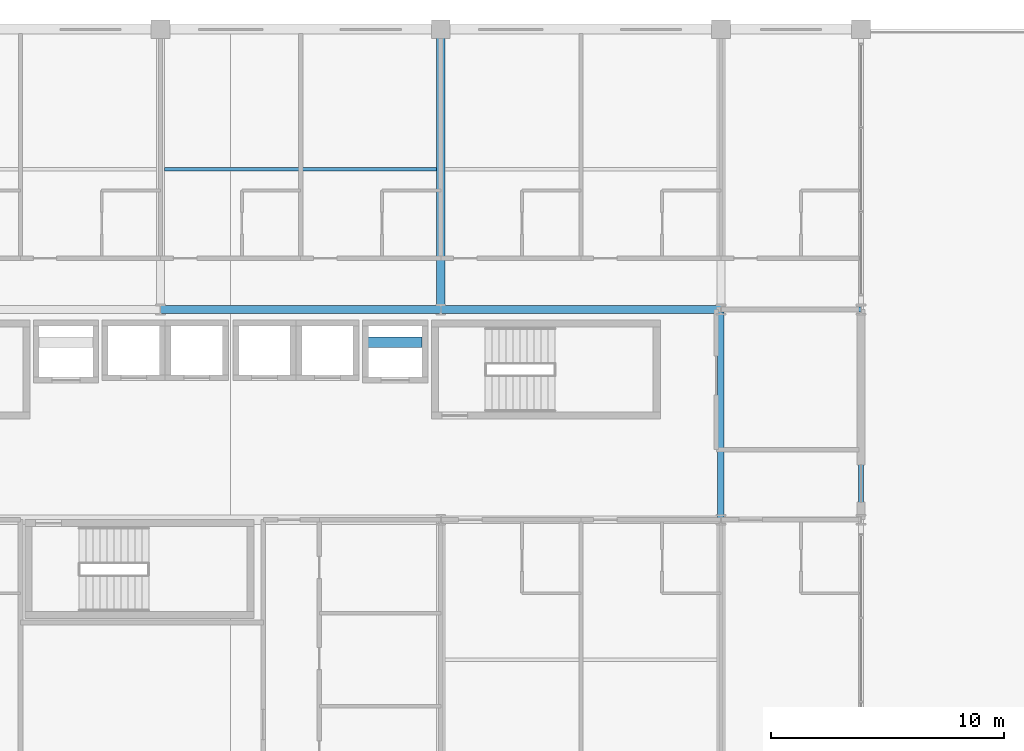
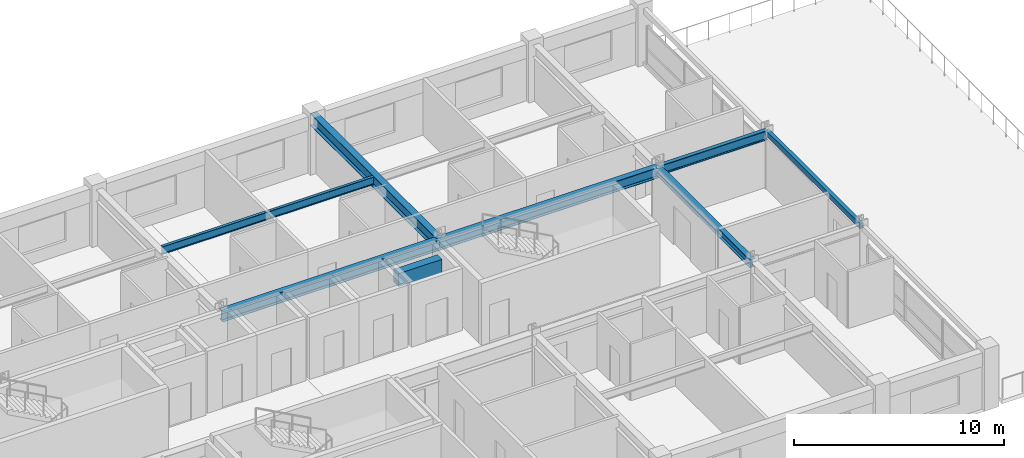
# One storey, part 13 of 27: 8 beams.
"""IFC4 building model written with IfcOpenShell, lengths in metres."""

from ifc_helpers import new_model, si_unit, direction, frame, origin, origin_2d, place, context, subcontext, project, spatial, rectangle, hollow_rectangle, i_section, extrude, material, material_profile, profile_set, type_object, element, save


model = new_model("IFC4")

# Units and contexts
model_context = context("Model", 3, precision=1e-05, world=origin(), true_north=direction((0.0, 1.0)))
body_context = subcontext(model_context, "Body", "Model", "MODEL_VIEW")
ifc_project = project(units=[si_unit("LENGTHUNIT", "METRE"), si_unit("AREAUNIT", "SQUARE_METRE"), si_unit("VOLUMEUNIT", "CUBIC_METRE"), si_unit("PLANEANGLEUNIT", "RADIAN"), si_unit("MASSUNIT", "GRAM", prefix="KILO")], contexts=[model_context])

# Site, building, storey
site_placement = place(None, origin())
site = spatial("IfcSite", under=ifc_project, at=site_placement, CompositionType="ELEMENT")
building_placement = place(site_placement, origin())
building = spatial("IfcBuilding", under=site, at=building_placement, Name="Kaldorvane Square Convention Centre", CompositionType="ELEMENT")
storey_placement = place(building_placement, frame((0.0, 0.0, 38.399993896484375)))
storey = spatial("IfcBuildingStorey", under=building, at=storey_placement, Name="L08", CompositionType="ELEMENT", Elevation=38.399993896484375)

# Beams
ifc_material_1 = material(Name="Steel ASTM A992 Gr. 50", Category="steel")
ifc_material_profile_1 = material_profile(ifc_material_1, i_section(OverallWidth=0.213897705078125, OverallDepth=0.549102783203125, WebThickness=0.0146942138671875, FlangeThickness=0.0236053466796875, FilletRadius=0.0126953125, at=origin_2d()), Name="W21X93")
ifc_profile_set_1 = profile_set([ifc_material_profile_1], Name="Steel ASTM A992 Gr. 50")
beam_type_1 = type_object("IfcBeamType", Name="BM-GR-W21X93", PredefinedType="BEAM", material=ifc_profile_set_1)
beam_1_placement = place(storey_placement, frame((78.0, 105.0, 3.011505126953125), z_axis=(1.0, 0.0, 0.0), x_axis=(0.0, 1.0, 0.0)))
element("IfcBeam", 1, at=beam_1_placement, inside=storey, type_object=beam_type_1, Name="Primary Girder (L08)", PredefinedType="BEAM", context=body_context, shape_type="SweptSolid", body=[
    extrude(i_section(OverallWidth=0.213897705078125, OverallDepth=0.549102783203125, WebThickness=0.0146942138671875, FlangeThickness=0.0236053466796875, FilletRadius=0.0126953125, at=origin_2d()), origin(), (0.0, 0.0, 1.0), 6.0),
])
ifc_material_profile_2 = material_profile(ifc_material_1, i_section(OverallWidth=0.326507568359375, OverallDepth=0.621795654296875, WebThickness=0.0153961181640625, FlangeThickness=0.0243988037109375, FilletRadius=0.0126953125, at=origin_2d()), Name="W24X131")
ifc_profile_set_2 = profile_set([ifc_material_profile_2], Name="Steel ASTM A992 Gr. 50")
beam_type_2 = type_object("IfcBeamType", Name="BM-GR-W24X131", PredefinedType="BEAM", material=ifc_profile_set_2)
for number, where, z_axis, x_axis, name in (
    (2, (54.0, 105.0, 2.9751129150390625), (1.0, 0.0, 0.0), (0.0, 1.0, 0.0), "Primary Girder (L08)"),
    (3, (66.0, 105.0, 2.9751129150390625), (1.0, 0.0, 0.0), (0.0, 1.0, 0.0), "Primary Girder (L08)"),
):
    element("IfcBeam", number, at=place(storey_placement, frame(where, z_axis=z_axis, x_axis=x_axis)), inside=storey, type_object=beam_type_2, Name=name, PredefinedType="BEAM", context=body_context, shape_type="SweptSolid", body=[
        extrude(i_section(OverallWidth=0.326507568359375, OverallDepth=0.621795654296875, WebThickness=0.0153961181640625, FlangeThickness=0.0243988037109375, FilletRadius=0.0126953125, at=origin_2d()), origin(), (0.0, 0.0, 1.0), 12.0),
    ])
ifc_material_profile_3 = material_profile(ifc_material_1, i_section(OverallWidth=0.354705810546875, OverallDepth=0.69549560546875, WebThickness=0.0153961181640625, FlangeThickness=0.0251007080078125, FilletRadius=0.01519775390625, at=origin_2d()), Name="W27X146")
ifc_profile_set_3 = profile_set([ifc_material_profile_3], Name="Steel ASTM A992 Gr. 50")
beam_type_3 = type_object("IfcBeamType", Name="BM-GR-W27X146", PredefinedType="BEAM", material=ifc_profile_set_3)
beam_2_placement = place(storey_placement, frame((66.0, 105.0, 2.9383087158203125), z_axis=(0.0, 1.0, 0.0), x_axis=(-1.0, 0.0, 0.0)))
element("IfcBeam", 4, at=beam_2_placement, inside=storey, type_object=beam_type_3, Name="Transverse Girder (L08)", PredefinedType="BEAM", context=body_context, shape_type="SweptSolid", body=[
    extrude(i_section(OverallWidth=0.354705810546875, OverallDepth=0.69549560546875, WebThickness=0.0153961181640625, FlangeThickness=0.0251007080078125, FilletRadius=0.01519775390625, at=origin_2d()), origin(), (0.0, 0.0, 1.0), 12.0),
])
ifc_material_profile_4 = material_profile(ifc_material_1, i_section(OverallWidth=0.152801513671875, OverallDepth=0.4546966552734375, WebThickness=0.00799560546875, FlangeThickness=0.0133056640625, FilletRadius=0.01019287109375, at=origin_2d()), Name="W18X40")
ifc_profile_set_4 = profile_set([ifc_material_profile_4], Name="Steel ASTM A992 Gr. 50")
beam_type_4 = type_object("IfcBeamType", Name="BM-JS-W18X40", PredefinedType="JOIST", material=ifc_profile_set_4)
beam_3_placement = place(storey_placement, frame((54.17730712890625, 111.0, 3.0586090087890625), z_axis=(1.0, 0.0, 0.0), x_axis=(0.0, 1.0, 0.0)))
element("IfcBeam", 5, at=beam_3_placement, inside=storey, type_object=beam_type_4, Name="Secondary Floor Joist (L08)", PredefinedType="JOIST", context=body_context, shape_type="SweptSolid", body=[
    extrude(i_section(OverallWidth=0.152801513671875, OverallDepth=0.4546966552734375, WebThickness=0.00799560546875, FlangeThickness=0.0133056640625, FilletRadius=0.01019287109375, at=origin_2d()), origin(), (0.0, 0.0, 1.0), 11.645294189453125),
])
ifc_material_profile_5 = material_profile(ifc_material_1, i_section(OverallWidth=0.2799072265625, OverallDepth=0.462799072265625, WebThickness=0.01080322265625, FlangeThickness=0.017303466796875, FilletRadius=0.01019287109375, at=origin_2d()), Name="W18X76")
ifc_profile_set_5 = profile_set([ifc_material_profile_5], Name="Steel ASTM A992 Gr. 50")
beam_type_5 = type_object("IfcBeamType", Name="BM-JS-W18X76", PredefinedType="JOIST", material=ifc_profile_set_5)
beam_4_placement = place(storey_placement, frame((78.0, 96.0, 3.0546112060546875), z_axis=(0.0, 1.0, 0.0), x_axis=(-1.0, 0.0, 0.0)))
element("IfcBeam", 6, at=beam_4_placement, inside=storey, type_object=beam_type_5, Name="Transverse Girder (L08)", PredefinedType="JOIST", context=body_context, shape_type="SweptSolid", body=[
    extrude(i_section(OverallWidth=0.2799072265625, OverallDepth=0.462799072265625, WebThickness=0.01080322265625, FlangeThickness=0.017303466796875, FilletRadius=0.01019287109375, at=origin_2d()), origin(), (0.0, 0.0, 1.0), 9.0),
])
ifc_material_2 = material(Name="Concrete f'c = 42 MPa (Normalweight)", Category="concrete")
ifc_material_profile_6 = material_profile(ifc_material_2, rectangle(XDim=0.4499969482421875, YDim=0.75, at=origin_2d()), Name="RCLN750X450")
ifc_profile_set_6 = profile_set([ifc_material_profile_6], Name="Concrete f'c = 42 MPa (Normalweight)")
beam_type_6 = type_object("IfcBeamType", Name="BM-LN-RC750", PredefinedType="LINTEL", material=ifc_profile_set_6)
beam_5_placement = place(storey_placement, frame((62.80000305175781, 103.60000610351562, 2.9130096435546875), z_axis=(1.0, 0.0, 0.0), x_axis=(0.0, 1.0, 0.0)))
element("IfcBeam", 7, at=beam_5_placement, inside=storey, type_object=beam_type_6, Name="Core Coupling Lintel E (L08)", PredefinedType="LINTEL", context=body_context, shape_type="SweptSolid", body=[
    extrude(rectangle(XDim=0.4499969482421875, YDim=0.75, at=origin_2d()), origin(), (0.0, 0.0, 1.0), 2.399993896484375),
])
ifc_material_3 = material(Name="Steel ASTM A500 Gr. C", Category="steel")
ifc_material_profile_7 = material_profile(ifc_material_3, hollow_rectangle(XDim=0.2032012939453125, YDim=0.3047943115234375, WallThickness=0.0088958740234375, at=origin_2d()), Name="HSS12X8X3/8")
ifc_profile_set_7 = profile_set([ifc_material_profile_7], Name="Steel ASTM A500 Gr. C")
beam_type_7 = type_object("IfcBeamType", Name="BM-SP-HSS12", PredefinedType="SPANDREL", material=ifc_profile_set_7)
beam_6_placement = place(storey_placement, frame((84.0, 96.0, 3.13360595703125), z_axis=(0.0, 1.0, 0.0), x_axis=(-1.0, 0.0, 0.0)))
element("IfcBeam", 8, at=beam_6_placement, inside=storey, type_object=beam_type_7, Name="End Spandrel (L08)", PredefinedType="SPANDREL", context=body_context, shape_type="SweptSolid", body=[
    extrude(hollow_rectangle(XDim=0.2032012939453125, YDim=0.3047943115234375, WallThickness=0.0088958740234375, at=origin_2d()), origin(), (0.0, 0.0, 1.0), 9.0),
])

save(model, "model.ifc")
